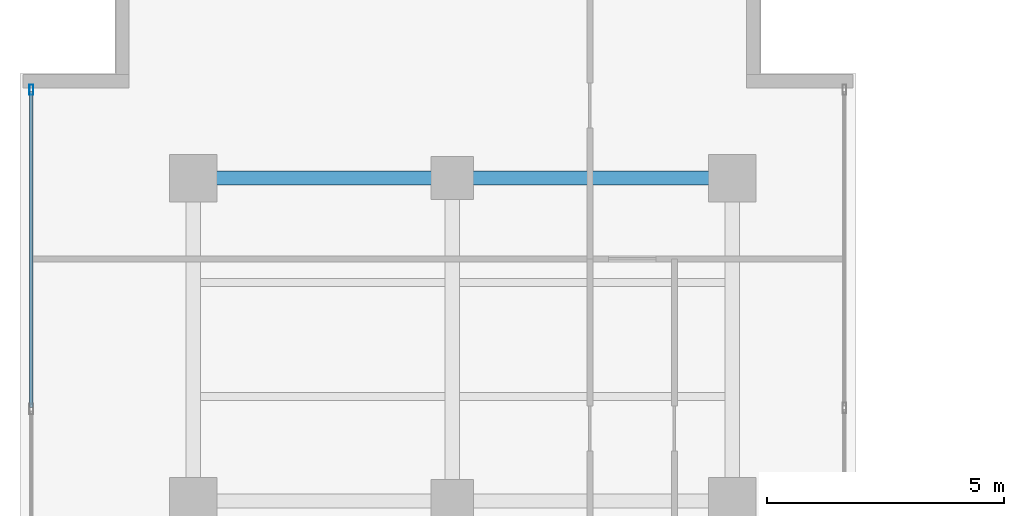
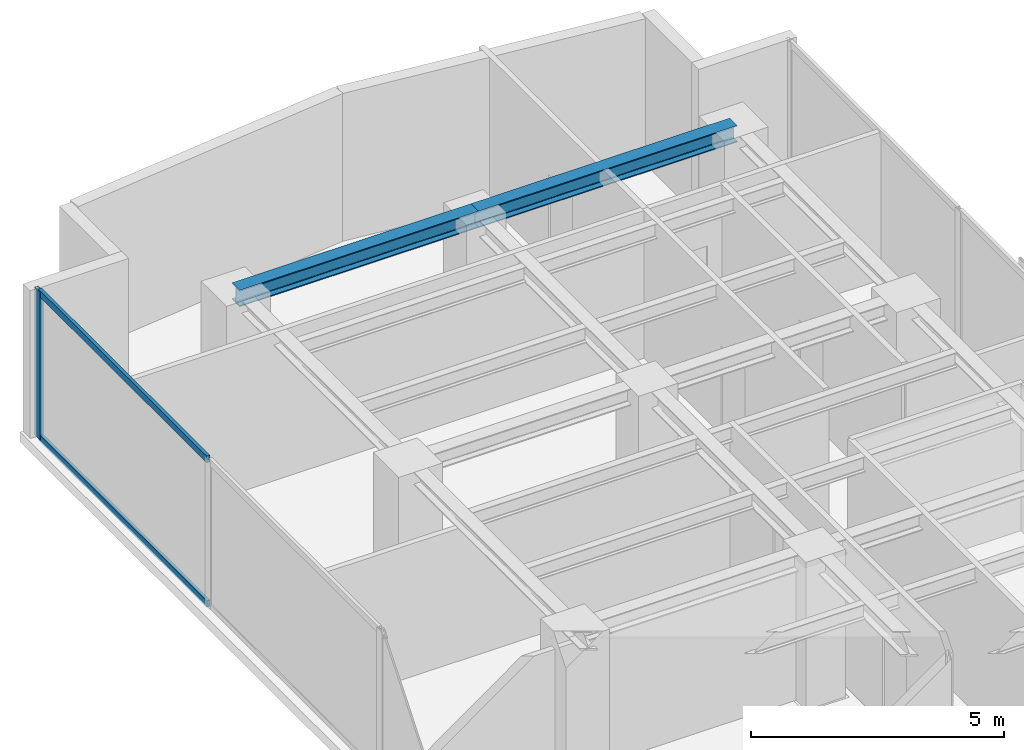
# One storey, part 14 of 25: 3 members, 2 beams, 1 element without a shape of its own.
"""IFC4 building model written with IfcOpenShell, lengths in metres."""

from ifc_helpers import new_model, si_unit, direction, frame, origin, origin_with_axes, origin_2d, place, context, subcontext, project, spatial, hollow_rectangle, i_section, extrude, source, transform, mapped, material, layer, layer_set, material_profile, profile_set, type_object, element, aggregate, save


model = new_model("IFC4")

# Units and contexts
model_context = context("Model", 3, precision=1e-05, world=origin(), true_north=direction((0.0, 1.0)))
body_context = subcontext(model_context, "Body", "Model", "MODEL_VIEW")
ifc_project = project(units=[si_unit("LENGTHUNIT", "METRE"), si_unit("AREAUNIT", "SQUARE_METRE"), si_unit("VOLUMEUNIT", "CUBIC_METRE"), si_unit("PLANEANGLEUNIT", "RADIAN"), si_unit("MASSUNIT", "GRAM", prefix="KILO")], contexts=[model_context])

# Site, building, storey
site_placement = place(None, origin())
site = spatial("IfcSite", under=ifc_project, at=site_placement, CompositionType="ELEMENT")
building_placement = place(site_placement, origin())
building = spatial("IfcBuilding", under=site, at=building_placement, Name="Kolvaren Waterfront Exchange", CompositionType="ELEMENT")
storey_placement = place(building_placement, frame((0.0, 0.0, 204.5)))
storey = spatial("IfcBuildingStorey", under=building, at=storey_placement, Name="L52", CompositionType="ELEMENT", Elevation=204.5)

# Beams
ifc_material_1 = material(Name="Steel S355", Category="steel")
ifc_material_profile_1 = material_profile(ifc_material_1, i_section(OverallWidth=0.300048828125, OverallDepth=0.39990234375, WebThickness=0.013427734375, FlangeThickness=0.02392578125, FilletRadius=0.027099609375, at=origin_2d()), Name="HEB400")
ifc_profile_set_1 = profile_set([ifc_material_profile_1], Name="Steel S355")
beam_type = type_object("IfcBeamType", Name="STR-BM-HEB400", PredefinedType="BEAM", material=ifc_profile_set_1)
beam_1_placement = place(storey_placement, frame((7.449951171875, 44.60009765625, 3.360107421875), z_axis=(1.0, 0.0, 0.0), x_axis=(0.0, 1.0, 0.0)))
element("IfcBeam", 1, at=beam_1_placement, inside=storey, type_object=beam_type, Name="L52 north-arm girder 4A", PredefinedType="BEAM", context=body_context, shape_type="SweptSolid", body=[
    extrude(i_section(OverallWidth=0.300048828125, OverallDepth=0.39990234375, WebThickness=0.013427734375, FlangeThickness=0.02392578125, FilletRadius=0.027099609375, at=origin_2d()), origin(), (0.0, 0.0, 1.0), 5.449951171875),
])
beam_2_placement = place(storey_placement, frame((12.89990234375, 44.60009765625, 3.360107421875), z_axis=(1.0, 0.0, 0.0), x_axis=(0.0, 1.0, 0.0)))
element("IfcBeam", 2, at=beam_2_placement, inside=storey, type_object=beam_type, Name="L52 north-arm girder 4B", PredefinedType="BEAM", context=body_context, shape_type="SweptSolid", body=[
    extrude(i_section(OverallWidth=0.300048828125, OverallDepth=0.39990234375, WebThickness=0.013427734375, FlangeThickness=0.02392578125, FilletRadius=0.027099609375, at=origin_2d()), origin(), (0.0, 0.0, 1.0), 5.900146484375),
])

# Curtain wall, members
ifc_material_2 = material(Name="Anodised aluminium 6063-T6", Category="aluminium")
ifc_layer = layer(ifc_material_2, 0.219970703125, Name="Anodised aluminium 6063-T6")
ifc_layer_set = layer_set([ifc_layer], Name="Anodised aluminium 6063-T6")
curtain_wall_type = type_object("IfcCurtainWallType", Name="ARC-CW-SYS2", PredefinedType="USERDEFINED", material=ifc_layer_set)
curtain_wall_placement = place(storey_placement, origin())
curtain_wall = element("IfcCurtainWall", 3, at=curtain_wall_placement, inside=storey, type_object=curtain_wall_type, Name="L52 stick curtain wall CW2 (CW-L52-W)", ObjectType="STICK CURTAIN WALL", PredefinedType="USERDEFINED")
ifc_material_profile_2 = material_profile(ifc_material_2, hollow_rectangle(XDim=0.080078125, YDim=0.219970703125, WallThickness=0.0048828125, at=origin_2d()), Name="ALU-MUL-220x80x5")
ifc_profile_set_2 = profile_set([ifc_material_profile_2], Name="Anodised aluminium 6063-T6")
member_type_1 = type_object("IfcMemberType", Name="ARC-CWM-220", PredefinedType="MULLION", material=ifc_profile_set_2)
shared_shape_1 = source(origin_with_axes(), body_context, "Body", "SweptSolid", [
    extrude(hollow_rectangle(XDim=0.080078125, YDim=0.219970703125, WallThickness=0.0048828125, at=origin_2d()), origin(), (0.0, 0.0, 1.0), 3.56005859375),
])
member_1_placement = place(storey_placement, frame((4.0400390625, 46.4599609375, 0.0), z_axis=(0.0, 0.0, 1.0), x_axis=(-1.0, 0.0, 0.0)))
member_1 = element("IfcMember", 4, at=member_1_placement, type_object=member_type_1, Name="CW2 mullion 7", PredefinedType="MULLION", context=body_context, shape_type="MappedRepresentation", body=[
    mapped(shared_shape_1, transform((0.0, 0.0, 0.0), x_axis=(1.0, 0.0, 0.0), y_axis=(0.0, 1.0, 0.0), z_axis=(0.0, 0.0, 1.0), scale=1.0)),
])
ifc_material_profile_3 = material_profile(ifc_material_2, hollow_rectangle(XDim=0.074951171875, YDim=0.159912109375, WallThickness=0.00439453125, at=origin_2d()), Name="ALU-TRN-160x75x4.5")
ifc_profile_set_3 = profile_set([ifc_material_profile_3], Name="Anodised aluminium 6063-T6")
member_type_2 = type_object("IfcMemberType", Name="ARC-CWT-160", PredefinedType="USERDEFINED", material=ifc_profile_set_3)
shared_shape_2 = source(origin_with_axes(), body_context, "Body", "SweptSolid", [
    extrude(hollow_rectangle(XDim=0.074951171875, YDim=0.159912109375, WallThickness=0.00439453125, at=origin_2d()), origin(), (0.0, 0.0, 1.0), 6.646484375),
])
member_2_placement = place(storey_placement, frame((4.0400390625, 39.7734375, 0.03759765625), z_axis=(0.0, 1.0, 0.0), x_axis=(-1.0, 0.0, 0.0)))
member_2 = element("IfcMember", 5, at=member_2_placement, type_object=member_type_2, Name="CW2 transom 6.1", ObjectType="TRANSOM", PredefinedType="USERDEFINED", context=body_context, shape_type="MappedRepresentation", body=[
    mapped(shared_shape_2, transform((0.0, 0.0, 0.0), x_axis=(1.0, 0.0, 0.0), y_axis=(0.0, 1.0, 0.0), z_axis=(0.0, 0.0, 1.0), scale=1.0)),
])
member_3_placement = place(storey_placement, frame((4.0400390625, 39.7734375, 3.5224609375), z_axis=(0.0, 1.0, 0.0), x_axis=(-1.0, 0.0, 0.0)))
member_3 = element("IfcMember", 6, at=member_3_placement, type_object=member_type_2, Name="CW2 transom 6.2", ObjectType="TRANSOM", PredefinedType="USERDEFINED", context=body_context, shape_type="MappedRepresentation", body=[
    mapped(shared_shape_2, transform((0.0, 0.0, 0.0), x_axis=(1.0, 0.0, 0.0), y_axis=(0.0, 1.0, 0.0), z_axis=(0.0, 0.0, 1.0), scale=1.0)),
])
aggregate(curtain_wall, [member_1, member_2, member_3])

save(model, "model.ifc")
